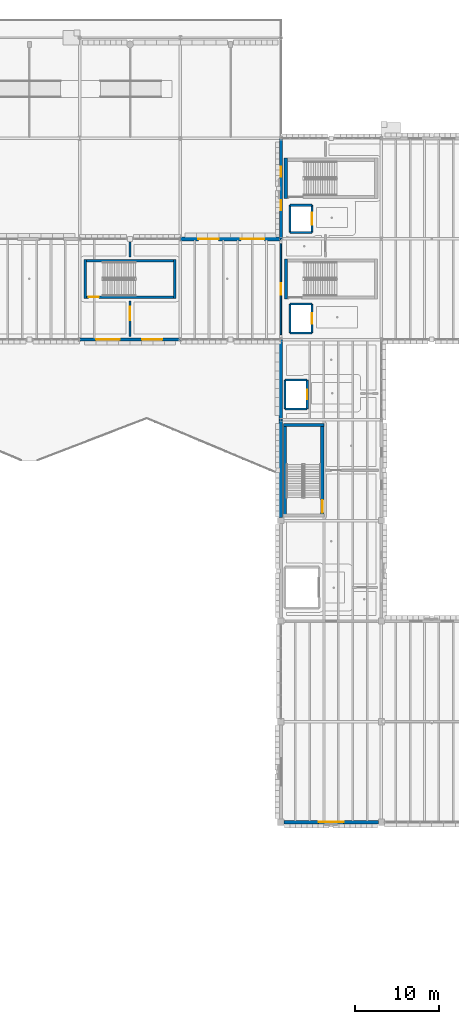
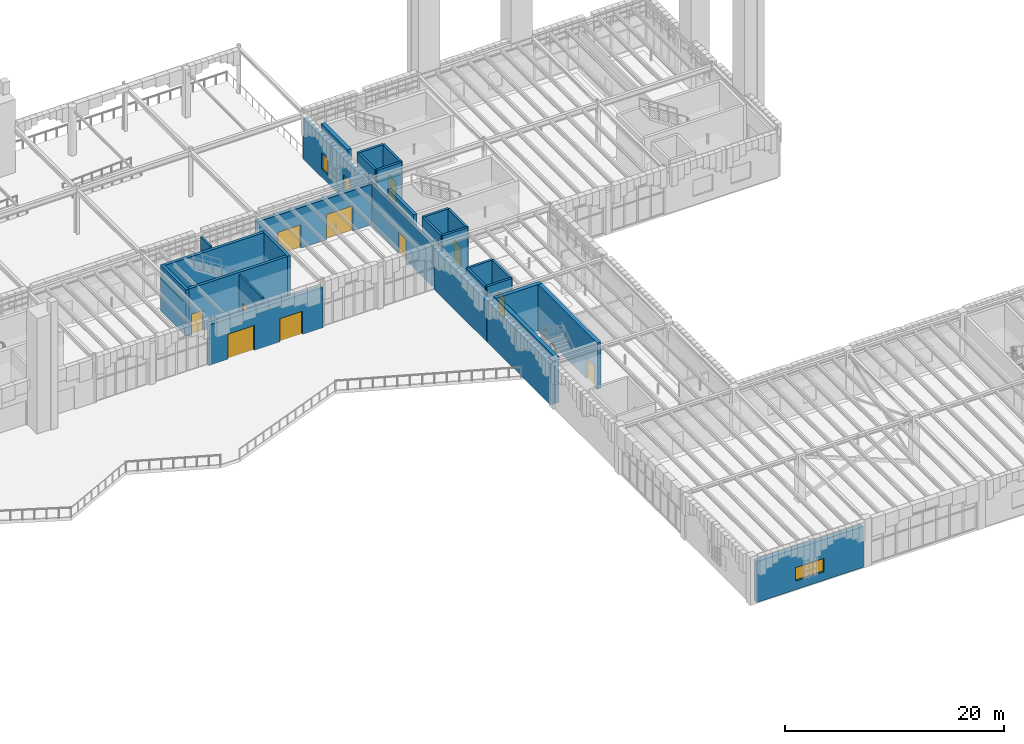
# One storey, part 55 of 103: 30 walls, 11 doors, 3 windows, 14 openings.
"""IFC4 building model written with IfcOpenShell, lengths in metres."""

from ifc_helpers import new_model, si_unit, direction, frame, frame_2d, origin, place, context, subcontext, project, spatial, rectangle, extrude, material, layer, layer_set, type_object, element, fill, save


model = new_model("IFC4")

# Units and contexts
model_context = context("Model", 3, precision=1e-05, world=origin(), true_north=direction((0.0, 1.0)))
body_context = subcontext(model_context, "Body", "Model", "MODEL_VIEW")
ifc_project = project(units=[si_unit("LENGTHUNIT", "METRE"), si_unit("AREAUNIT", "SQUARE_METRE"), si_unit("VOLUMEUNIT", "CUBIC_METRE"), si_unit("PLANEANGLEUNIT", "RADIAN"), si_unit("MASSUNIT", "GRAM", prefix="KILO")], contexts=[model_context])

# Site, building, storey
site_placement = place(None, origin())
site = spatial("IfcSite", under=ifc_project, at=site_placement, CompositionType="ELEMENT")
building_placement = place(site_placement, origin())
building = spatial("IfcBuilding", under=site, at=building_placement, Name="Zlatogorsky Bluff Art Gallery", CompositionType="ELEMENT")
storey_placement = place(building_placement, origin())
storey = spatial("IfcBuildingStorey", under=building, at=storey_placement, Name="L00", CompositionType="ELEMENT", Elevation=0.0)

# Wall, openings, windows
ifc_material_1 = material(Name="Precast concrete C40/50", Category="concrete")
ifc_layer_1 = layer(ifc_material_1, 0.360107421875)
ifc_layer_set_1 = layer_set([ifc_layer_1], Name="Exterior Wall EW-01 360mm")
wall_type_1 = type_object("IfcWallType", Name="Exterior Wall EW-01 360mm", PredefinedType="SOLIDWALL", material=ifc_layer_set_1)
wall_1_placement = place(storey_placement, frame((120.0, 108.0, 0.0), z_axis=(0.0, 0.0, 1.0), x_axis=(0.0, -1.0, 0.0)))
wall_1 = element("IfcWall", 1, at=wall_1_placement, inside=storey, type_object=wall_type_1, Name="Exterior wall EW-01 L00 W 10.9", PredefinedType="SOLIDWALL", context=body_context, shape_type="SweptSolid", body=[
    extrude(rectangle(XDim=12.0, YDim=0.360107421875, at=frame_2d((6.0, 0.0))), origin(), (0.0, 0.0, 1.0), 4.52001953125),
])
opening_1_placement = place(wall_1_placement, frame((3.39990234375, 0.0, 0.949951171875)))
opening_1 = element("IfcOpeningElement", 2, at=opening_1_placement, cuts=wall_1, Name="Opening WN-15", PredefinedType="OPENING", context=body_context, shape_type="SweptSolid", body=[
    extrude(rectangle(XDim=1.199951171875, YDim=1.800048828125, at=frame_2d((0.60009765625, 0.89990234375))), frame((0.0, 0.18994140625, 0.0), z_axis=(0.0, -1.0, 0.0), x_axis=(1.0, 0.0, 0.0)), (0.0, 0.0, 1.0), 0.380126953125),
])
opening_2_placement = place(wall_1_placement, frame((7.39990234375, 0.0, 0.949951171875)))
opening_2 = element("IfcOpeningElement", 3, at=opening_2_placement, cuts=wall_1, Name="Opening WN-15", PredefinedType="OPENING", context=body_context, shape_type="SweptSolid", body=[
    extrude(rectangle(XDim=1.199951171875, YDim=1.800048828125, at=frame_2d((0.60009765625, 0.89990234375))), frame((0.0, 0.18994140625, 0.0), z_axis=(0.0, -1.0, 0.0), x_axis=(1.0, 0.0, 0.0)), (0.0, 0.0, 1.0), 0.380126953125),
])
ifc_material_2 = material(Name="Bronze-Anodised Aluminium Triple Glazing", Category="aluminium")
window_type_1 = type_object("IfcWindowType", Name="Pointed-Reveal Window WN-15 1200x1800", PartitioningType="SINGLE_PANEL", PredefinedType="WINDOW", material=ifc_material_2)
window_1_placement = place(opening_1_placement, origin())
window_1 = element("IfcWindow", 4, at=window_1_placement, inside=storey, type_object=window_type_1, Name="Window WN-15 L00.W.10.9.1", OverallHeight=1.800048828125, OverallWidth=1.199951171875, PartitioningType="SINGLE_PANEL", PredefinedType="WINDOW", context=body_context, shape_type="SweptSolid", body=[
    extrude(rectangle(XDim=1.199951171875, YDim=1.800048828125, at=frame_2d((0.60009765625, 0.89990234375))), frame((0.0, 0.030029296875, 0.0), z_axis=(0.0, -1.0, 0.0), x_axis=(1.0, 0.0, 0.0)), (0.0, 0.0, 1.0), 0.06005859375),
])
fill(opening_1, window_1)
window_2_placement = place(opening_2_placement, origin())
window_2 = element("IfcWindow", 5, at=window_2_placement, inside=storey, type_object=window_type_1, Name="Window WN-15 L00.W.10.9.2", OverallHeight=1.800048828125, OverallWidth=1.199951171875, PartitioningType="SINGLE_PANEL", PredefinedType="WINDOW", context=body_context, shape_type="SweptSolid", body=[
    extrude(rectangle(XDim=1.199951171875, YDim=1.800048828125, at=frame_2d((0.60009765625, 0.89990234375))), frame((0.0, 0.030029296875, 0.0), z_axis=(0.0, -1.0, 0.0), x_axis=(1.0, 0.0, 0.0)), (0.0, 0.0, 1.0), 0.06005859375),
])
fill(opening_2, window_2)

# Wall, openings, doors
ifc_layer_2 = layer(ifc_material_1, 0.39990234375)
ifc_layer_set_2 = layer_set([ifc_layer_2], Name="Exterior Wall EW-02 400mm")
wall_type_2 = type_object("IfcWallType", Name="Exterior Wall EW-02 400mm", PredefinedType="SOLIDWALL", material=ifc_layer_set_2)
wall_2_placement = place(storey_placement, frame((96.0, 84.0, 0.0), z_axis=(0.0, 0.0, 1.0), x_axis=(1.0, 0.0, 0.0)))
wall_2 = element("IfcWall", 6, at=wall_2_placement, inside=storey, type_object=wall_type_2, Name="Exterior wall EW-02 L00 S 8.8", PredefinedType="SOLIDWALL", context=body_context, shape_type="SweptSolid", body=[
    extrude(rectangle(XDim=12.0, YDim=0.39990234375, at=frame_2d((6.0, 0.0))), origin(), (0.0, 0.0, 1.0), 4.52001953125),
])
opening_3_placement = place(wall_2_placement, frame((1.9599609375, 0.0, 0.0)))
opening_3 = element("IfcOpeningElement", 7, at=opening_3_placement, cuts=wall_2, Name="Opening ED-T3", PredefinedType="OPENING", context=body_context, shape_type="SweptSolid", body=[
    extrude(rectangle(XDim=2.800048828125, YDim=2.800048828125, at=frame_2d((1.39990234375, 1.39990234375))), frame((0.0, 0.2099609375, 0.0), z_axis=(0.0, -1.0, 0.0), x_axis=(1.0, 0.0, 0.0)), (0.0, 0.0, 1.0), 0.419921875),
])
opening_4_placement = place(wall_2_placement, frame((7.43994140625, 0.0, 0.0)))
opening_4 = element("IfcOpeningElement", 8, at=opening_4_placement, cuts=wall_2, Name="Opening ED-T2", PredefinedType="OPENING", context=body_context, shape_type="SweptSolid", body=[
    extrude(rectangle(XDim=2.39990234375, YDim=2.60009765625, at=frame_2d((1.199951171875, 1.300048828125))), frame((0.0, 0.2099609375, 0.0), z_axis=(0.0, -1.0, 0.0), x_axis=(1.0, 0.0, 0.0)), (0.0, 0.0, 1.0), 0.419921875),
])
ifc_material_3 = material(Name="Bronze-Clad Thermally Broken Steel and Laminated Glass", Category="steel")
door_type_1 = type_object("IfcDoorType", Name="Exterior Door ED-T2 2400x2600", OperationType="DOUBLE_DOOR_SINGLE_SWING", PredefinedType="DOOR", material=ifc_material_3)
door_1_placement = place(opening_4_placement, frame((2.39990234375, 0.0, 0.0), z_axis=(0.0, 0.0, 1.0), x_axis=(-1.0, 0.0, 0.0)))
door_1 = element("IfcDoor", 9, at=door_1_placement, inside=storey, type_object=door_type_1, Name="Ground exit portal double door ED-T2 S.8.8.2", OperationType="DOUBLE_DOOR_SINGLE_SWING", OverallHeight=2.60009765625, OverallWidth=2.39990234375, PredefinedType="DOOR", context=body_context, shape_type="SweptSolid", body=[
    extrude(rectangle(XDim=2.39990234375, YDim=2.60009765625, at=frame_2d((1.199951171875, 1.300048828125))), frame((0.0, 0.02490234375, 0.0), z_axis=(0.0, -1.0, 0.0), x_axis=(1.0, 0.0, 0.0)), (0.0, 0.0, 1.0), 0.050048828125),
])
fill(opening_4, door_1)
door_type_2 = type_object("IfcDoorType", Name="Exterior Door ED-T3 2800x2800", OperationType="DOUBLE_DOOR_SINGLE_SWING", PredefinedType="DOOR", material=ifc_material_3)
door_2_placement = place(opening_3_placement, frame((2.800048828125, 0.0, 0.0), z_axis=(0.0, 0.0, 1.0), x_axis=(-1.0, 0.0, 0.0)))
door_2 = element("IfcDoor", 10, at=door_2_placement, inside=storey, type_object=door_type_2, Name="Ground exit portal double door ED-T3 S.8.8.1", OperationType="DOUBLE_DOOR_SINGLE_SWING", OverallHeight=2.800048828125, OverallWidth=2.800048828125, PredefinedType="DOOR", context=body_context, shape_type="SweptSolid", body=[
    extrude(rectangle(XDim=2.800048828125, YDim=2.800048828125, at=frame_2d((1.39990234375, 1.39990234375))), frame((0.0, 0.02490234375, 0.0), z_axis=(0.0, -1.0, 0.0), x_axis=(1.0, 0.0, 0.0)), (0.0, 0.0, 1.0), 0.050048828125),
])
fill(opening_3, door_2)

# Wall
wall_3_placement = place(storey_placement, frame((120.0, 74.39990234375, 0.0), z_axis=(0.0, 0.0, 1.0), x_axis=(0.0, -1.0, 0.0)))
element("IfcWall", 11, at=wall_3_placement, inside=storey, type_object=wall_type_2, Name="Exterior wall EW-02 L00 W 10.6", PredefinedType="SOLIDWALL", context=body_context, shape_type="SweptSolid", body=[
    extrude(rectangle(XDim=11.6298828125, YDim=0.39990234375, at=frame_2d((5.81494140625, 0.0))), origin(), (0.0, 0.0, 1.0), 4.56005859375),
])

# Wall, openings, doors
ifc_layer_3 = layer(ifc_material_1, 0.43994140625)
ifc_layer_set_3 = layer_set([ifc_layer_3], Name="Exterior Wall EW-03 440mm")
wall_type_3 = type_object("IfcWallType", Name="Exterior Wall EW-03 440mm", PredefinedType="SOLIDWALL", material=ifc_layer_set_3)
wall_4_placement = place(storey_placement, frame((120.0, 96.0, 0.0), z_axis=(0.0, 0.0, 1.0), x_axis=(-1.0, 0.0, 0.0)))
wall_4 = element("IfcWall", 12, at=wall_4_placement, inside=storey, type_object=wall_type_3, Name="Exterior wall EW-03 L00 N 9.8", PredefinedType="SOLIDWALL", context=body_context, shape_type="SweptSolid", body=[
    extrude(rectangle(XDim=12.0, YDim=0.43994140625, at=frame_2d((6.0, 0.0))), origin(), (0.0, 0.0, 1.0), 4.52001953125),
])
opening_5_placement = place(wall_4_placement, frame((1.9599609375, 0.0, 0.0)))
opening_5 = element("IfcOpeningElement", 13, at=opening_5_placement, cuts=wall_4, Name="Opening ED-T3", PredefinedType="OPENING", context=body_context, shape_type="SweptSolid", body=[
    extrude(rectangle(XDim=2.800048828125, YDim=2.800048828125, at=frame_2d((1.39990234375, 1.39990234375))), frame((0.0, 0.22998046875, 0.0), z_axis=(0.0, -1.0, 0.0), x_axis=(1.0, 0.0, 0.0)), (0.0, 0.0, 1.0), 0.4599609375),
])
opening_6_placement = place(wall_4_placement, frame((7.43994140625, 0.0, 0.0)))
opening_6 = element("IfcOpeningElement", 14, at=opening_6_placement, cuts=wall_4, Name="Opening ED-T2", PredefinedType="OPENING", context=body_context, shape_type="SweptSolid", body=[
    extrude(rectangle(XDim=2.39990234375, YDim=2.60009765625, at=frame_2d((1.199951171875, 1.300048828125))), frame((0.0, 0.22998046875, 0.0), z_axis=(0.0, -1.0, 0.0), x_axis=(1.0, 0.0, 0.0)), (0.0, 0.0, 1.0), 0.4599609375),
])
door_3_placement = place(opening_6_placement, frame((2.39990234375, 0.0, 0.0), z_axis=(0.0, 0.0, 1.0), x_axis=(-1.0, 0.0, 0.0)))
door_3 = element("IfcDoor", 15, at=door_3_placement, inside=storey, type_object=door_type_1, Name="Ground exit portal double door ED-T2 N.9.8.2", OperationType="DOUBLE_DOOR_SINGLE_SWING", OverallHeight=2.60009765625, OverallWidth=2.39990234375, PredefinedType="DOOR", context=body_context, shape_type="SweptSolid", body=[
    extrude(rectangle(XDim=2.39990234375, YDim=2.60009765625, at=frame_2d((1.199951171875, 1.300048828125))), frame((0.0, 0.02490234375, 0.0), z_axis=(0.0, -1.0, 0.0), x_axis=(1.0, 0.0, 0.0)), (0.0, 0.0, 1.0), 0.050048828125),
])
fill(opening_6, door_3)
door_4_placement = place(opening_5_placement, frame((2.800048828125, 0.0, 0.0), z_axis=(0.0, 0.0, 1.0), x_axis=(-1.0, 0.0, 0.0)))
door_4 = element("IfcDoor", 16, at=door_4_placement, inside=storey, type_object=door_type_2, Name="Ground exit portal double door ED-T3 N.9.8.1", OperationType="DOUBLE_DOOR_SINGLE_SWING", OverallHeight=2.800048828125, OverallWidth=2.800048828125, PredefinedType="DOOR", context=body_context, shape_type="SweptSolid", body=[
    extrude(rectangle(XDim=2.800048828125, YDim=2.800048828125, at=frame_2d((1.39990234375, 1.39990234375))), frame((0.0, 0.02490234375, 0.0), z_axis=(0.0, -1.0, 0.0), x_axis=(1.0, 0.0, 0.0)), (0.0, 0.0, 1.0), 0.050048828125),
])
fill(opening_5, door_4)

# Wall, opening, window
wall_5_placement = place(storey_placement, frame((120.3701171875, 26.39990234375, 0.0), z_axis=(0.0, 0.0, 1.0), x_axis=(1.0, 0.0, 0.0)))
wall_5 = element("IfcWall", 17, at=wall_5_placement, inside=storey, type_object=wall_type_3, Name="Exterior wall EW-03 L00 S 10.3", PredefinedType="SOLIDWALL", context=body_context, shape_type="SweptSolid", body=[
    extrude(rectangle(XDim=11.259765625, YDim=0.43994140625, at=frame_2d((5.6298828125, 0.0))), origin(), (0.0, 0.0, 1.0), 4.56005859375),
])
opening_7_placement = place(wall_5_placement, frame((4.1298828125, 0.0, 0.949951171875)))
opening_7 = element("IfcOpeningElement", 18, at=opening_7_placement, cuts=wall_5, Name="Opening WN-11", PredefinedType="OPENING", context=body_context, shape_type="SweptSolid", body=[
    extrude(rectangle(XDim=3.0, YDim=1.5, at=frame_2d((1.5, 0.75))), frame((0.0, 0.22998046875, 0.0), z_axis=(0.0, -1.0, 0.0), x_axis=(1.0, 0.0, 0.0)), (0.0, 0.0, 1.0), 0.4599609375),
])
window_type_2 = type_object("IfcWindowType", Name="Pointed-Reveal Window WN-11 3000x1500", PartitioningType="SINGLE_PANEL", PredefinedType="WINDOW", material=ifc_material_2)
window_3_placement = place(opening_7_placement, origin())
window_3 = element("IfcWindow", 19, at=window_3_placement, inside=storey, type_object=window_type_2, Name="Window WN-11 L00.S.10.3.1", OverallHeight=1.5, OverallWidth=3.0, PartitioningType="SINGLE_PANEL", PredefinedType="WINDOW", context=body_context, shape_type="SweptSolid", body=[
    extrude(rectangle(XDim=3.0, YDim=1.5, at=frame_2d((1.5, 0.75))), frame((0.0, 0.030029296875, 0.0), z_axis=(0.0, -1.0, 0.0), x_axis=(1.0, 0.0, 0.0)), (0.0, 0.0, 1.0), 0.06005859375),
])
fill(opening_7, window_3)

# Wall
wall_6_placement = place(storey_placement, frame((120.0, 84.0, 0.0), z_axis=(0.0, 0.0, 1.0), x_axis=(0.0, -1.0, 0.0)))
element("IfcWall", 20, at=wall_6_placement, inside=storey, type_object=wall_type_3, Name="Exterior wall EW-03 L00 W 10.7", PredefinedType="SOLIDWALL", context=body_context, shape_type="SweptSolid", body=[
    extrude(rectangle(XDim=9.60009765625, YDim=0.43994140625, at=frame_2d((4.800048828125, 0.0))), origin(), (0.0, 0.0, 1.0), 4.52001953125),
])

# Wall, opening, door
ifc_material_4 = material(Name="Concrete C30/37", Category="concrete")
ifc_layer_4 = layer(ifc_material_4, 0.179931640625)
ifc_layer_set_4 = layer_set([ifc_layer_4], Name="Interior Wall IW-02 180mm")
wall_type_4 = type_object("IfcWallType", Name="Interior Wall IW-02 180mm", PredefinedType="PARTITIONING", material=ifc_layer_set_4)
wall_7_placement = place(storey_placement, frame((120.0, 84.594482421875, 0.0), z_axis=(0.0, 0.0, 1.0), x_axis=(0.0, 1.0, 0.0)))
wall_7 = element("IfcWall", 21, at=wall_7_placement, inside=storey, type_object=wall_type_4, Name="Partition IW-02 between L00-C1-13 and L00-ST-11", PredefinedType="PARTITIONING", context=body_context, shape_type="SweptSolid", body=[
    extrude(rectangle(XDim=10.84814453125, YDim=0.179931640625, at=frame_2d((5.424072265625, 0.0))), origin(), (0.0, 0.0, 1.0), 4.72998046875),
])
opening_8_placement = place(wall_7_placement, frame((4.7490234375, 0.0, 0.0)))
opening_8 = element("IfcOpeningElement", 22, at=opening_8_placement, cuts=wall_7, Name="Opening ID-08", PredefinedType="OPENING", context=body_context, shape_type="SweptSolid", body=[
    extrude(rectangle(XDim=1.35009765625, YDim=2.300048828125, at=frame_2d((0.675048828125, 1.14990234375))), frame((0.0, 0.099853515625, 0.0), z_axis=(0.0, -1.0, 0.0), x_axis=(1.0, 0.0, 0.0)), (0.0, 0.0, 1.0), 0.199951171875),
])
ifc_material_5 = material(Name="Anodised Aluminium and Laminated Timber", Category="wood")
door_type_3 = type_object("IfcDoorType", Name="Interior Door ID-08 1350x2300", OperationType="DOUBLE_SWING_LEFT", PredefinedType="DOOR", material=ifc_material_5)
door_5_placement = place(opening_8_placement, origin())
door_5 = element("IfcDoor", 23, at=door_5_placement, inside=storey, type_object=door_type_3, Name="Door ID-08 L00-C1-13-L00-ST-11", OperationType="DOUBLE_SWING_LEFT", OverallHeight=2.300048828125, OverallWidth=1.35009765625, PredefinedType="DOOR", context=body_context, shape_type="SweptSolid", body=[
    extrude(rectangle(XDim=1.35009765625, YDim=2.300048828125, at=frame_2d((0.675048828125, 1.14990234375))), frame((0.0, 0.02490234375, 0.0), z_axis=(0.0, -1.0, 0.0), x_axis=(1.0, 0.0, 0.0)), (0.0, 0.0, 1.0), 0.050048828125),
])
fill(opening_8, door_5)

ifc_layer_5 = layer(ifc_material_4, 0.199951171875)
ifc_layer_set_5 = layer_set([ifc_layer_5], Name="Interior Wall IW-03 200mm")
wall_type_5 = type_object("IfcWallType", Name="Interior Wall IW-03 200mm", PredefinedType="PARTITIONING", material=ifc_layer_set_5)
wall_8_placement = place(storey_placement, frame((102.0, 84.3701171875, 0.0), z_axis=(0.0, 0.0, 1.0), x_axis=(0.0, 1.0, 0.0)))
wall_8 = element("IfcWall", 24, at=wall_8_placement, inside=storey, type_object=wall_type_5, Name="Partition IW-03 between L00-C1-12 and L00-C1-13-S1", PredefinedType="PARTITIONING", context=body_context, shape_type="SweptSolid", body=[
    extrude(rectangle(XDim=4.2099609375, YDim=0.199951171875, at=frame_2d((2.10498046875, 0.0))), origin(), (0.0, 0.0, 1.0), 5.1201171875),
])
opening_9_placement = place(wall_8_placement, frame((1.909912109375, 0.0, 0.0)))
opening_9 = element("IfcOpeningElement", 25, at=opening_9_placement, cuts=wall_8, Name="Opening ID-10", PredefinedType="OPENING", context=body_context, shape_type="SweptSolid", body=[
    extrude(rectangle(XDim=1.64990234375, YDim=2.35009765625, at=frame_2d((0.824951171875, 1.175048828125))), frame((0.0, 0.10986328125, 0.0), z_axis=(0.0, -1.0, 0.0), x_axis=(1.0, 0.0, 0.0)), (0.0, 0.0, 1.0), 0.219970703125),
])
door_type_4 = type_object("IfcDoorType", Name="Interior Door ID-10 1650x2350", OperationType="DOUBLE_DOOR_SINGLE_SWING", PredefinedType="DOOR", material=ifc_material_5)
door_6_placement = place(opening_9_placement, origin())
door_6 = element("IfcDoor", 26, at=door_6_placement, inside=storey, type_object=door_type_4, Name="Door ID-10 L00-C1-12-L00-C1-13-S1", OperationType="DOUBLE_DOOR_SINGLE_SWING", OverallHeight=2.35009765625, OverallWidth=1.64990234375, PredefinedType="DOOR", context=body_context, shape_type="SweptSolid", body=[
    extrude(rectangle(XDim=1.64990234375, YDim=2.35009765625, at=frame_2d((0.824951171875, 1.175048828125))), frame((0.0, 0.02490234375, 0.0), z_axis=(0.0, -1.0, 0.0), x_axis=(1.0, 0.0, 0.0)), (0.0, 0.0, 1.0), 0.050048828125),
])
fill(opening_9, door_6)

# Walls
wall_9_placement = place(storey_placement, frame((102.0, 93.8701171875, 0.0), z_axis=(0.0, 0.0, 1.0), x_axis=(0.0, 1.0, 0.0)))
element("IfcWall", 27, at=wall_9_placement, inside=storey, type_object=wall_type_5, Name="Partition IW-03 between L00-C1-12 and L00-C1-13-S2", PredefinedType="PARTITIONING", context=body_context, shape_type="SweptSolid", body=[
    extrude(rectangle(XDim=1.759765625, YDim=0.199951171875, at=frame_2d((0.8798828125, 0.0))), origin(), (0.0, 0.0, 1.0), 5.1201171875),
])
ifc_material_6 = material(Name="Concrete C35/45", Category="concrete")
ifc_layer_6 = layer(ifc_material_6, 0.25)
ifc_layer_set_6 = layer_set([ifc_layer_6], Name="Interior Wall IW-05 250mm")
wall_type_6 = type_object("IfcWallType", Name="Interior Wall IW-05 250mm", PredefinedType="SOLIDWALL", material=ifc_layer_set_6)
wall_10_placement = place(storey_placement, frame((120.4951171875, 75.72509765625, 0.0), z_axis=(0.0, 0.0, 1.0), x_axis=(1.0, 0.0, 0.0)))
element("IfcWall", 28, at=wall_10_placement, inside=storey, type_object=wall_type_6, Name="Lift FL-1 shaft wall L00 S", PredefinedType="SOLIDWALL", context=body_context, shape_type="SweptSolid", body=[
    extrude(rectangle(XDim=2.64990234375, YDim=0.25, at=frame_2d((1.324951171875, 0.0))), origin(), (0.0, 0.0, 1.0), 5.139892578125),
])

# Wall, opening, door
wall_11_placement = place(storey_placement, frame((123.14501953125, 75.72509765625, 0.0), z_axis=(0.0, 0.0, 1.0), x_axis=(0.0, 1.0, 0.0)))
wall_11 = element("IfcWall", 29, at=wall_11_placement, inside=storey, type_object=wall_type_6, Name="Lift FL-1 shaft wall L00 E", PredefinedType="SOLIDWALL", context=body_context, shape_type="SweptSolid", body=[
    extrude(rectangle(XDim=3.449951171875, YDim=0.25, at=frame_2d((1.72509765625, 0.0))), origin(), (0.0, 0.0, 1.0), 5.139892578125),
])
opening_10_placement = place(wall_11_placement, frame((1.175048828125, 0.0, 0.0)))
opening_10 = element("IfcOpeningElement", 30, at=opening_10_placement, cuts=wall_11, Name="Opening LD-01", PredefinedType="OPENING", context=body_context, shape_type="SweptSolid", body=[
    extrude(rectangle(XDim=1.10009765625, YDim=2.199951171875, at=frame_2d((0.550048828125, 1.10009765625))), frame((0.0, 0.135009765625, 0.0), z_axis=(0.0, -1.0, 0.0), x_axis=(1.0, 0.0, 0.0)), (0.0, 0.0, 1.0), 0.27001953125),
])
door_type_5 = type_object("IfcDoorType", Name="Interior Door LD-01 1100x2200", OperationType="SLIDING_TO_LEFT", PredefinedType="DOOR", material=ifc_material_5)
door_7_placement = place(opening_10_placement, origin())
door_7 = element("IfcDoor", 31, at=door_7_placement, inside=storey, type_object=door_type_5, Name="Lift FL-1 sliding landing door L00", OperationType="SLIDING_TO_LEFT", OverallHeight=2.199951171875, OverallWidth=1.10009765625, PredefinedType="DOOR", context=body_context, shape_type="SweptSolid", body=[
    extrude(rectangle(XDim=1.10009765625, YDim=2.199951171875, at=frame_2d((0.550048828125, 1.10009765625))), frame((0.0, 0.02490234375, 0.0), z_axis=(0.0, -1.0, 0.0), x_axis=(1.0, 0.0, 0.0)), (0.0, 0.0, 1.0), 0.050048828125),
])
fill(opening_10, door_7)

# Walls
wall_12_placement = place(storey_placement, frame((123.14501953125, 79.175048828125, 0.0), z_axis=(0.0, 0.0, 1.0), x_axis=(-1.0, 0.0, 0.0)))
element("IfcWall", 32, at=wall_12_placement, inside=storey, type_object=wall_type_6, Name="Lift FL-1 shaft wall L00 N", PredefinedType="SOLIDWALL", context=body_context, shape_type="SweptSolid", body=[
    extrude(rectangle(XDim=2.64990234375, YDim=0.25, at=frame_2d((1.324951171875, 0.0))), origin(), (0.0, 0.0, 1.0), 5.139892578125),
])
wall_13_placement = place(storey_placement, frame((120.4951171875, 79.175048828125, 0.0), z_axis=(0.0, 0.0, 1.0), x_axis=(0.0, -1.0, 0.0)))
element("IfcWall", 33, at=wall_13_placement, inside=storey, type_object=wall_type_6, Name="Lift FL-1 shaft wall L00 W", PredefinedType="SOLIDWALL", context=body_context, shape_type="SweptSolid", body=[
    extrude(rectangle(XDim=3.449951171875, YDim=0.25, at=frame_2d((1.72509765625, 0.0))), origin(), (0.0, 0.0, 1.0), 5.139892578125),
])
wall_14_placement = place(storey_placement, frame((121.074951171875, 84.77490234375, 0.0), z_axis=(0.0, 0.0, 1.0), x_axis=(1.0, 0.0, 0.0)))
element("IfcWall", 34, at=wall_14_placement, inside=storey, type_object=wall_type_6, Name="Lift FL-2 shaft wall L00 S", PredefinedType="SOLIDWALL", context=body_context, shape_type="SweptSolid", body=[
    extrude(rectangle(XDim=2.650146484375, YDim=0.25, at=frame_2d((1.3251953125, 0.0))), origin(), (0.0, 0.0, 1.0), 5.139892578125),
])

# Wall, opening, door
wall_15_placement = place(storey_placement, frame((123.72509765625, 84.77490234375, 0.0), z_axis=(0.0, 0.0, 1.0), x_axis=(0.0, 1.0, 0.0)))
wall_15 = element("IfcWall", 35, at=wall_15_placement, inside=storey, type_object=wall_type_6, Name="Lift FL-2 shaft wall L00 E", PredefinedType="SOLIDWALL", context=body_context, shape_type="SweptSolid", body=[
    extrude(rectangle(XDim=3.4501953125, YDim=0.25, at=frame_2d((1.72509765625, 0.0))), origin(), (0.0, 0.0, 1.0), 5.139892578125),
])
opening_11_placement = place(wall_15_placement, frame((1.10009765625, 0.0, 0.0)))
opening_11 = element("IfcOpeningElement", 36, at=opening_11_placement, cuts=wall_15, Name="Opening LD-02", PredefinedType="OPENING", context=body_context, shape_type="SweptSolid", body=[
    extrude(rectangle(XDim=1.25, YDim=2.25, at=frame_2d((0.625, 1.125))), frame((0.0, 0.135009765625, 0.0), z_axis=(0.0, -1.0, 0.0), x_axis=(1.0, 0.0, 0.0)), (0.0, 0.0, 1.0), 0.27001953125),
])
door_type_6 = type_object("IfcDoorType", Name="Interior Door LD-02 1250x2250", OperationType="SLIDING_TO_LEFT", PredefinedType="DOOR", material=ifc_material_5)
door_8_placement = place(opening_11_placement, origin())
door_8 = element("IfcDoor", 37, at=door_8_placement, inside=storey, type_object=door_type_6, Name="Lift FL-2 sliding landing door L00", OperationType="SLIDING_TO_LEFT", OverallHeight=2.25, OverallWidth=1.25, PredefinedType="DOOR", context=body_context, shape_type="SweptSolid", body=[
    extrude(rectangle(XDim=1.25, YDim=2.25, at=frame_2d((0.625, 1.125))), frame((0.0, 0.02490234375, 0.0), z_axis=(0.0, -1.0, 0.0), x_axis=(1.0, 0.0, 0.0)), (0.0, 0.0, 1.0), 0.050048828125),
])
fill(opening_11, door_8)

# Walls
wall_16_placement = place(storey_placement, frame((123.72509765625, 88.22509765625, 0.0), z_axis=(0.0, 0.0, 1.0), x_axis=(-1.0, 0.0, 0.0)))
element("IfcWall", 38, at=wall_16_placement, inside=storey, type_object=wall_type_6, Name="Lift FL-2 shaft wall L00 N", PredefinedType="SOLIDWALL", context=body_context, shape_type="SweptSolid", body=[
    extrude(rectangle(XDim=2.650146484375, YDim=0.25, at=frame_2d((1.3251953125, 0.0))), origin(), (0.0, 0.0, 1.0), 5.139892578125),
])
wall_17_placement = place(storey_placement, frame((121.074951171875, 88.22509765625, 0.0), z_axis=(0.0, 0.0, 1.0), x_axis=(0.0, -1.0, 0.0)))
element("IfcWall", 39, at=wall_17_placement, inside=storey, type_object=wall_type_6, Name="Lift FL-2 shaft wall L00 W", PredefinedType="SOLIDWALL", context=body_context, shape_type="SweptSolid", body=[
    extrude(rectangle(XDim=3.4501953125, YDim=0.25, at=frame_2d((1.72509765625, 0.0))), origin(), (0.0, 0.0, 1.0), 5.139892578125),
])
wall_18_placement = place(storey_placement, frame((121.074951171875, 96.77490234375, 0.0), z_axis=(0.0, 0.0, 1.0), x_axis=(1.0, 0.0, 0.0)))
element("IfcWall", 40, at=wall_18_placement, inside=storey, type_object=wall_type_6, Name="Lift PL-1 shaft wall L00 S", PredefinedType="SOLIDWALL", context=body_context, shape_type="SweptSolid", body=[
    extrude(rectangle(XDim=2.650146484375, YDim=0.25, at=frame_2d((1.3251953125, 0.0))), origin(), (0.0, 0.0, 1.0), 5.139892578125),
])

# Wall, opening, door
wall_19_placement = place(storey_placement, frame((123.72509765625, 96.77490234375, 0.0), z_axis=(0.0, 0.0, 1.0), x_axis=(0.0, 1.0, 0.0)))
wall_19 = element("IfcWall", 41, at=wall_19_placement, inside=storey, type_object=wall_type_6, Name="Lift PL-1 shaft wall L00 E", PredefinedType="SOLIDWALL", context=body_context, shape_type="SweptSolid", body=[
    extrude(rectangle(XDim=3.25, YDim=0.25, at=frame_2d((1.625, 0.0))), origin(), (0.0, 0.0, 1.0), 5.139892578125),
])
opening_12_placement = place(wall_19_placement, frame((0.925048828125, 0.0, 0.0)))
opening_12 = element("IfcOpeningElement", 42, at=opening_12_placement, cuts=wall_19, Name="Opening LD-03", PredefinedType="OPENING", context=body_context, shape_type="SweptSolid", body=[
    extrude(rectangle(XDim=1.39990234375, YDim=2.300048828125, at=frame_2d((0.699951171875, 1.14990234375))), frame((0.0, 0.135009765625, 0.0), z_axis=(0.0, -1.0, 0.0), x_axis=(1.0, 0.0, 0.0)), (0.0, 0.0, 1.0), 0.27001953125),
])
door_type_7 = type_object("IfcDoorType", Name="Interior Door LD-03 1400x2300", OperationType="SLIDING_TO_LEFT", PredefinedType="DOOR", material=ifc_material_5)
door_9_placement = place(opening_12_placement, origin())
door_9 = element("IfcDoor", 43, at=door_9_placement, inside=storey, type_object=door_type_7, Name="Lift PL-1 sliding landing door L00", OperationType="SLIDING_TO_LEFT", OverallHeight=2.300048828125, OverallWidth=1.39990234375, PredefinedType="DOOR", context=body_context, shape_type="SweptSolid", body=[
    extrude(rectangle(XDim=1.39990234375, YDim=2.300048828125, at=frame_2d((0.699951171875, 1.14990234375))), frame((0.0, 0.02490234375, 0.0), z_axis=(0.0, -1.0, 0.0), x_axis=(1.0, 0.0, 0.0)), (0.0, 0.0, 1.0), 0.050048828125),
])
fill(opening_12, door_9)

# Walls
wall_20_placement = place(storey_placement, frame((123.72509765625, 100.02490234375, 0.0), z_axis=(0.0, 0.0, 1.0), x_axis=(-1.0, 0.0, 0.0)))
element("IfcWall", 44, at=wall_20_placement, inside=storey, type_object=wall_type_6, Name="Lift PL-1 shaft wall L00 N", PredefinedType="SOLIDWALL", context=body_context, shape_type="SweptSolid", body=[
    extrude(rectangle(XDim=2.650146484375, YDim=0.25, at=frame_2d((1.3251953125, 0.0))), origin(), (0.0, 0.0, 1.0), 5.139892578125),
])
wall_21_placement = place(storey_placement, frame((121.074951171875, 100.02490234375, 0.0), z_axis=(0.0, 0.0, 1.0), x_axis=(0.0, -1.0, 0.0)))
element("IfcWall", 45, at=wall_21_placement, inside=storey, type_object=wall_type_6, Name="Lift PL-1 shaft wall L00 W", PredefinedType="SOLIDWALL", context=body_context, shape_type="SweptSolid", body=[
    extrude(rectangle(XDim=3.25, YDim=0.25, at=frame_2d((1.625, 0.0))), origin(), (0.0, 0.0, 1.0), 5.139892578125),
])

# Wall, opening, door
ifc_layer_7 = layer(ifc_material_6, 0.300048828125)
ifc_layer_set_7 = layer_set([ifc_layer_7], Name="Interior Wall SW-01 300mm")
wall_type_7 = type_object("IfcWallType", Name="Interior Wall SW-01 300mm", PredefinedType="SHEAR", material=ifc_layer_set_7)
wall_22_placement = place(storey_placement, frame((96.5, 89.050048828125, 0.0), z_axis=(0.0, 0.0, 1.0), x_axis=(1.0, 0.0, 0.0)))
wall_22 = element("IfcWall", 46, at=wall_22_placement, inside=storey, type_object=wall_type_7, Name="Stair ST-01 enclosure wall L00 W0", PredefinedType="SHEAR", context=body_context, shape_type="SweptSolid", body=[
    extrude(rectangle(XDim=11.0, YDim=0.300048828125, at=frame_2d((5.5, 0.0))), origin(), (0.0, 0.0, 1.0), 5.139892578125),
])
opening_13_placement = place(wall_22_placement, frame((0.550048828125, 0.0, 0.0)))
opening_13 = element("IfcOpeningElement", 47, at=opening_13_placement, cuts=wall_22, Name="Opening FD-02", PredefinedType="OPENING", context=body_context, shape_type="SweptSolid", body=[
    extrude(rectangle(XDim=1.239990234375, YDim=2.25, at=frame_2d((0.6201171875, 1.125))), frame((0.0, 0.159912109375, 0.0), z_axis=(0.0, -1.0, 0.0), x_axis=(1.0, 0.0, 0.0)), (0.0, 0.0, 1.0), 0.320068359375),
])
door_type_8 = type_object("IfcDoorType", Name="Interior Door FD-02 1240x2250", OperationType="SINGLE_SWING_LEFT", PredefinedType="DOOR", material=ifc_material_5)
door_10_placement = place(opening_13_placement, frame((1.239990234375, 0.0, 0.0), z_axis=(0.0, 0.0, 1.0), x_axis=(-1.0, 0.0, 0.0)))
door_10 = element("IfcDoor", 48, at=door_10_placement, inside=storey, type_object=door_type_8, Name="Stair ST-01 fire door L00", OperationType="SINGLE_SWING_RIGHT", OverallHeight=2.25, OverallWidth=1.239990234375, PredefinedType="DOOR", context=body_context, shape_type="SweptSolid", body=[
    extrude(rectangle(XDim=1.239990234375, YDim=2.25, at=frame_2d((0.6201171875, 1.125))), frame((0.0, 0.02490234375, 0.0), z_axis=(0.0, -1.0, 0.0), x_axis=(1.0, 0.0, 0.0)), (0.0, 0.0, 1.0), 0.050048828125),
])
fill(opening_13, door_10)

# Walls
wall_23_placement = place(storey_placement, frame((107.35009765625, 88.89990234375, 0.0), z_axis=(0.0, 0.0, 1.0), x_axis=(0.0, 1.0, 0.0)))
element("IfcWall", 49, at=wall_23_placement, inside=storey, type_object=wall_type_7, Name="Stair ST-01 enclosure wall L00 FEND", PredefinedType="SHEAR", context=body_context, shape_type="SweptSolid", body=[
    extrude(rectangle(XDim=4.650146484375, YDim=0.300048828125, at=frame_2d((2.3251953125, 0.0))), origin(), (0.0, 0.0, 1.0), 5.139892578125),
])
wall_24_placement = place(storey_placement, frame((107.5, 93.39990234375, 0.0), z_axis=(0.0, 0.0, 1.0), x_axis=(-1.0, 0.0, 0.0)))
element("IfcWall", 50, at=wall_24_placement, inside=storey, type_object=wall_type_7, Name="Stair ST-01 enclosure wall L00 W1", PredefinedType="SHEAR", context=body_context, shape_type="SweptSolid", body=[
    extrude(rectangle(XDim=11.0, YDim=0.300048828125, at=frame_2d((5.5, 0.0))), origin(), (0.0, 0.0, 1.0), 5.139892578125),
])
wall_25_placement = place(storey_placement, frame((96.64990234375, 93.550048828125, 0.0), z_axis=(0.0, 0.0, 1.0), x_axis=(0.0, -1.0, 0.0)))
element("IfcWall", 51, at=wall_25_placement, inside=storey, type_object=wall_type_7, Name="Stair ST-01 enclosure wall L00 LEND", PredefinedType="SHEAR", context=body_context, shape_type="SweptSolid", body=[
    extrude(rectangle(XDim=4.650146484375, YDim=0.300048828125, at=frame_2d((2.3251953125, 0.0))), origin(), (0.0, 0.0, 1.0), 5.139892578125),
])
ifc_layer_8 = layer(ifc_material_6, 0.35009765625)
ifc_layer_set_8 = layer_set([ifc_layer_8], Name="Interior Wall SW-02 350mm")
wall_type_8 = type_object("IfcWallType", Name="Interior Wall SW-02 350mm", PredefinedType="SHEAR", material=ifc_layer_set_8)
wall_26_placement = place(storey_placement, frame((120.625, 93.60009765625, 0.0), z_axis=(0.0, 0.0, 1.0), x_axis=(0.0, -1.0, 0.0)))
element("IfcWall", 52, at=wall_26_placement, inside=storey, type_object=wall_type_8, Name="Stair ST-02 enclosure wall L00 LEND", PredefinedType="SHEAR", context=body_context, shape_type="SweptSolid", body=[
    extrude(rectangle(XDim=4.75, YDim=0.35009765625, at=frame_2d((2.375, 0.0))), origin(), (0.0, 0.0, 1.0), 5.139892578125),
])
ifc_layer_9 = layer(ifc_material_6, 0.39990234375)
ifc_layer_set_9 = layer_set([ifc_layer_9], Name="Interior Wall SW-03 400mm")
wall_type_9 = type_object("IfcWallType", Name="Interior Wall SW-03 400mm", PredefinedType="SHEAR", material=ifc_layer_set_9)
wall_27_placement = place(storey_placement, frame((120.60009765625, 105.64990234375, 0.0), z_axis=(0.0, 0.0, 1.0), x_axis=(0.0, -1.0, 0.0)))
element("IfcWall", 53, at=wall_27_placement, inside=storey, type_object=wall_type_9, Name="Stair ST-03 enclosure wall L00 LEND", PredefinedType="SHEAR", context=body_context, shape_type="SweptSolid", body=[
    extrude(rectangle(XDim=4.849853515625, YDim=0.39990234375, at=frame_2d((2.4248046875, 0.0))), origin(), (0.0, 0.0, 1.0), 5.139892578125),
])

# Wall, opening, door
wall_28_placement = place(storey_placement, frame((124.949951171875, 62.800048828125, 0.0), z_axis=(0.0, 0.0, 1.0), x_axis=(0.0, 1.0, 0.0)))
wall_28 = element("IfcWall", 54, at=wall_28_placement, inside=storey, type_object=wall_type_9, Name="Stair ST-06 enclosure wall L00 W0", PredefinedType="SHEAR", context=body_context, shape_type="SweptSolid", body=[
    extrude(rectangle(XDim=11.199951171875, YDim=0.39990234375, at=frame_2d((5.60009765625, 0.0))), origin(), (0.0, 0.0, 1.0), 5.139892578125),
])
opening_14_placement = place(wall_28_placement, frame((0.550048828125, 0.0, 0.0)))
opening_14 = element("IfcOpeningElement", 55, at=opening_14_placement, cuts=wall_28, Name="Opening FD-03", PredefinedType="OPENING", context=body_context, shape_type="SweptSolid", body=[
    extrude(rectangle(XDim=1.47998046875, YDim=2.300048828125, at=frame_2d((0.739990234375, 1.14990234375))), frame((0.0, 0.2099609375, 0.0), z_axis=(0.0, -1.0, 0.0), x_axis=(1.0, 0.0, 0.0)), (0.0, 0.0, 1.0), 0.419921875),
])
door_type_9 = type_object("IfcDoorType", Name="Interior Door FD-03 1480x2300", OperationType="DOUBLE_DOOR_SINGLE_SWING", PredefinedType="DOOR", material=ifc_material_5)
door_11_placement = place(opening_14_placement, frame((1.47998046875, 0.0, 0.0), z_axis=(0.0, 0.0, 1.0), x_axis=(-1.0, 0.0, 0.0)))
door_11 = element("IfcDoor", 56, at=door_11_placement, inside=storey, type_object=door_type_9, Name="Stair ST-06 fire door L00", OperationType="DOUBLE_DOOR_SINGLE_SWING", OverallHeight=2.300048828125, OverallWidth=1.47998046875, PredefinedType="DOOR", context=body_context, shape_type="SweptSolid", body=[
    extrude(rectangle(XDim=1.47998046875, YDim=2.300048828125, at=frame_2d((0.739990234375, 1.14990234375))), frame((0.0, 0.02490234375, 0.0), z_axis=(0.0, -1.0, 0.0), x_axis=(1.0, 0.0, 0.0)), (0.0, 0.0, 1.0), 0.050048828125),
])
fill(opening_14, door_11)

# Walls
wall_29_placement = place(storey_placement, frame((125.14990234375, 73.800048828125, 0.0), z_axis=(0.0, 0.0, 1.0), x_axis=(-1.0, 0.0, 0.0)))
element("IfcWall", 57, at=wall_29_placement, inside=storey, type_object=wall_type_9, Name="Stair ST-06 enclosure wall L00 FEND", PredefinedType="SHEAR", context=body_context, shape_type="SweptSolid", body=[
    extrude(rectangle(XDim=4.849853515625, YDim=0.39990234375, at=frame_2d((2.4248046875, 0.0))), origin(), (0.0, 0.0, 1.0), 5.139892578125),
])
wall_30_placement = place(storey_placement, frame((120.5, 74.0, 0.0), z_axis=(0.0, 0.0, 1.0), x_axis=(0.0, -1.0, 0.0)))
element("IfcWall", 58, at=wall_30_placement, inside=storey, type_object=wall_type_9, Name="Stair ST-06 enclosure wall L00 W1", PredefinedType="SHEAR", context=body_context, shape_type="SweptSolid", body=[
    extrude(rectangle(XDim=11.199951171875, YDim=0.39990234375, at=frame_2d((5.60009765625, 0.0))), origin(), (0.0, 0.0, 1.0), 5.139892578125),
])

save(model, "model.ifc")
